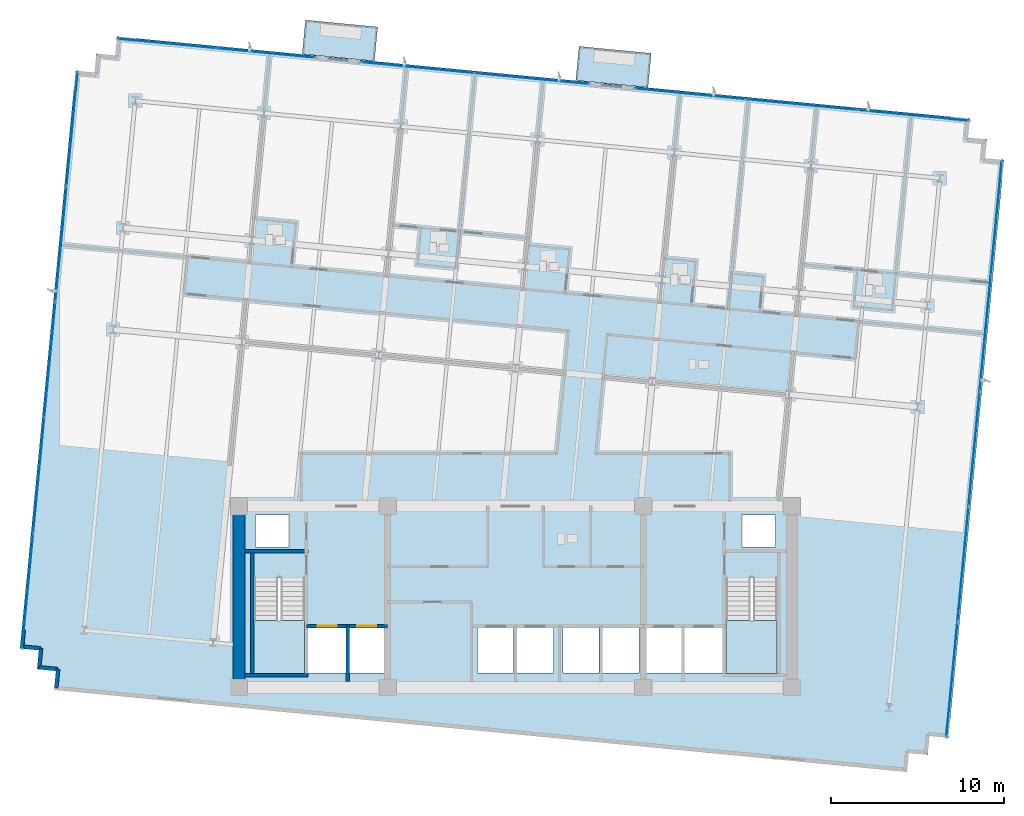
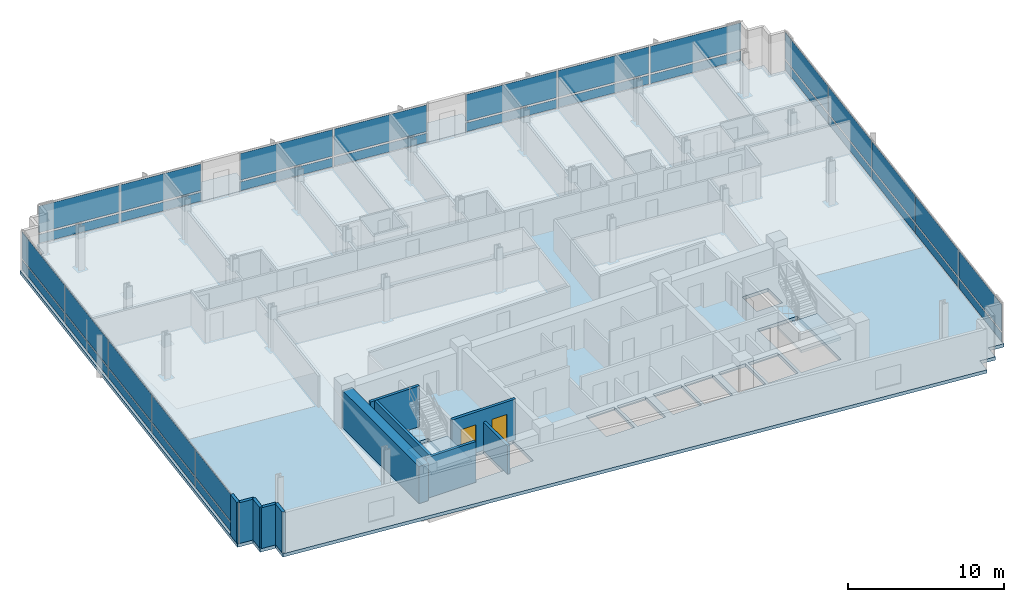
# One storey, part 9 of 17: 34 plates, 11 walls, 5 slabs, 2 doors, 2 openings, 7 elements without a shape of their own.
"""IFC4 building model written with IfcOpenShell, lengths in metres."""

from ifc_helpers import new_model, si_unit, direction, frame, frame_2d, origin, origin_2d, place, context, subcontext, project, spatial, polyline, rectangle, outline, extrude, material, layer, layer_set, type_object, element, fill, aggregate, save


model = new_model("IFC4")

# Units and contexts
model_context = context("Model", 3, precision=1e-05, world=origin(), true_north=direction((0.0, 1.0)))
body_context = subcontext(model_context, "Body", "Model", "MODEL_VIEW")
ifc_project = project(units=[si_unit("LENGTHUNIT", "METRE"), si_unit("AREAUNIT", "SQUARE_METRE"), si_unit("VOLUMEUNIT", "CUBIC_METRE"), si_unit("PLANEANGLEUNIT", "RADIAN"), si_unit("MASSUNIT", "GRAM", prefix="KILO")], contexts=[model_context])

# Site, building, storey
site_placement = place(None, origin())
site = spatial("IfcSite", under=ifc_project, at=site_placement, CompositionType="ELEMENT")
building_placement = place(site_placement, origin())
building = spatial("IfcBuilding", under=site, at=building_placement, Name="Solmavex Isthmus Hotel", CompositionType="ELEMENT")
storey_placement = place(building_placement, frame((0.0, 0.0, 146.25)))
storey = spatial("IfcBuildingStorey", under=building, at=storey_placement, Name="L39", CompositionType="ELEMENT", Elevation=146.25)

# Curtain wall, plates
ifc_material_1 = material(Name="Aluminium alloy 6063-T6", Category="aluminium")
curtain_wall_type = type_object("IfcCurtainWallType", Name="CW-SYS-03", PredefinedType="NOTDEFINED", material=ifc_material_1)
curtain_wall_1_placement = place(storey_placement, origin())
curtain_wall_1 = element("IfcCurtainWall", 1, at=curtain_wall_1_placement, inside=storey, type_object=curtain_wall_type, Name="Stick Curtain Wall CWL-L39-N1", PredefinedType="NOTDEFINED")
ifc_material_2 = material(Name="Clear low-E laminated glass", Category="glass")
ifc_layer_1 = layer(ifc_material_2, 0.030029296875)
ifc_layer_set_1 = layer_set([ifc_layer_1], Name="Clear low-E laminated glass")
plate_type = type_object("IfcPlateType", Name="CW-SYS-03-PNL", PredefinedType="CURTAIN_PANEL", material=ifc_layer_set_1)
plate_1_placement = place(storey_placement, frame((-20.1806640625, 24.291259765625, 0.14013671875), z_axis=(0.0, 0.0, 1.0), x_axis=(0.995396220659, -0.095845521008, 0.0)))
plate_1 = element("IfcPlate", 2, at=plate_1_placement, type_object=plate_type, Name="CW-03 panel 1.1", PredefinedType="CURTAIN_PANEL", context=body_context, shape_type="SweptSolid", body=[
    extrude(rectangle(XDim=5.677978515625, YDim=0.030029296875, at=origin_2d()), origin(), (0.0, 0.0, 1.0), 0.68994140625),
])
plate_2_placement = place(storey_placement, frame((-20.1806640625, 24.291259765625, 0.969970703125), z_axis=(0.0, 0.0, 1.0), x_axis=(0.995396220659, -0.095845521008, 0.0)))
plate_2 = element("IfcPlate", 3, at=plate_2_placement, type_object=plate_type, Name="CW-03 panel 1.2", PredefinedType="CURTAIN_PANEL", context=body_context, shape_type="SweptSolid", body=[
    extrude(rectangle(XDim=5.677978515625, YDim=0.030029296875, at=origin_2d()), origin(), (0.0, 0.0, 1.0), 2.080078125),
])
plate_3_placement = place(storey_placement, frame((-14.459228515625, 23.740234375, 0.14013671875), z_axis=(0.0, 0.0, 1.0), x_axis=(0.995396220659, -0.095845521008, 0.0)))
plate_3 = element("IfcPlate", 4, at=plate_3_placement, type_object=plate_type, Name="CW-03 panel 2.1", PredefinedType="CURTAIN_PANEL", context=body_context, shape_type="SweptSolid", body=[
    extrude(rectangle(XDim=5.677978515625, YDim=0.030029296875, at=origin_2d()), origin(), (0.0, 0.0, 1.0), 0.68994140625),
])
plate_4_placement = place(storey_placement, frame((-14.459228515625, 23.740234375, 0.969970703125), z_axis=(0.0, 0.0, 1.0), x_axis=(0.995396220659, -0.095845521008, 0.0)))
plate_4 = element("IfcPlate", 5, at=plate_4_placement, type_object=plate_type, Name="CW-03 panel 2.2", PredefinedType="CURTAIN_PANEL", context=body_context, shape_type="SweptSolid", body=[
    extrude(rectangle(XDim=5.677978515625, YDim=0.030029296875, at=origin_2d()), origin(), (0.0, 0.0, 1.0), 2.080078125),
])
aggregate(curtain_wall_1, [plate_1, plate_2, plate_3, plate_4])

curtain_wall_2_placement = place(storey_placement, origin())
curtain_wall_2 = element("IfcCurtainWall", 6, at=curtain_wall_2_placement, inside=storey, type_object=curtain_wall_type, Name="Stick Curtain Wall CWL-L39-N2", PredefinedType="NOTDEFINED")
plate_5_placement = place(storey_placement, frame((-5.645263671875, 22.8916015625, 0.14013671875), z_axis=(0.0, 0.0, 1.0), x_axis=(0.995396257521, -0.095845138178, 0.0)))
plate_5 = element("IfcPlate", 7, at=plate_5_placement, type_object=plate_type, Name="CW-03 panel 1.1", PredefinedType="CURTAIN_PANEL", context=body_context, shape_type="SweptSolid", body=[
    extrude(rectangle(XDim=6.551025390625, YDim=0.030029296875, at=origin_2d()), origin(), (0.0, 0.0, 1.0), 0.68994140625),
])
plate_6_placement = place(storey_placement, frame((-5.645263671875, 22.8916015625, 0.969970703125), z_axis=(0.0, 0.0, 1.0), x_axis=(0.995396257521, -0.095845138178, 0.0)))
plate_6 = element("IfcPlate", 8, at=plate_6_placement, type_object=plate_type, Name="CW-03 panel 1.2", PredefinedType="CURTAIN_PANEL", context=body_context, shape_type="SweptSolid", body=[
    extrude(rectangle(XDim=6.551025390625, YDim=0.030029296875, at=origin_2d()), origin(), (0.0, 0.0, 1.0), 2.080078125),
])
plate_7_placement = place(storey_placement, frame((0.945068359375, 22.257080078125, 0.14013671875), z_axis=(0.0, 0.0, 1.0), x_axis=(0.995396257521, -0.095845138178, 0.0)))
plate_7 = element("IfcPlate", 9, at=plate_7_placement, type_object=plate_type, Name="CW-03 panel 2.1", PredefinedType="CURTAIN_PANEL", context=body_context, shape_type="SweptSolid", body=[
    extrude(rectangle(XDim=6.551025390625, YDim=0.030029296875, at=origin_2d()), origin(), (0.0, 0.0, 1.0), 0.68994140625),
])
plate_8_placement = place(storey_placement, frame((0.945068359375, 22.257080078125, 0.969970703125), z_axis=(0.0, 0.0, 1.0), x_axis=(0.995396257521, -0.095845138178, 0.0)))
plate_8 = element("IfcPlate", 10, at=plate_8_placement, type_object=plate_type, Name="CW-03 panel 2.2", PredefinedType="CURTAIN_PANEL", context=body_context, shape_type="SweptSolid", body=[
    extrude(rectangle(XDim=6.551025390625, YDim=0.030029296875, at=origin_2d()), origin(), (0.0, 0.0, 1.0), 2.080078125),
])
aggregate(curtain_wall_2, [plate_5, plate_6, plate_7, plate_8])

curtain_wall_3_placement = place(storey_placement, origin())
curtain_wall_3 = element("IfcCurtainWall", 11, at=curtain_wall_3_placement, inside=storey, type_object=curtain_wall_type, Name="Stick Curtain Wall CWL-L39-N3", PredefinedType="NOTDEFINED")
plate_9_placement = place(storey_placement, frame((10.119384765625, 21.373779296875, 0.14013671875), z_axis=(0.0, 0.0, 1.0), x_axis=(0.995396200025, -0.095845735304, 0.0)))
plate_9 = element("IfcPlate", 12, at=plate_9_placement, type_object=plate_type, Name="CW-03 panel 1.1", PredefinedType="CURTAIN_PANEL", context=body_context, shape_type="SweptSolid", body=[
    extrude(rectangle(XDim=6.40234375, YDim=0.030029296875, at=origin_2d()), origin(), (0.0, 0.0, 1.0), 0.68994140625),
])
plate_10_placement = place(storey_placement, frame((10.119384765625, 21.373779296875, 0.969970703125), z_axis=(0.0, 0.0, 1.0), x_axis=(0.995396200025, -0.095845735304, 0.0)))
plate_10 = element("IfcPlate", 13, at=plate_10_placement, type_object=plate_type, Name="CW-03 panel 1.2", PredefinedType="CURTAIN_PANEL", context=body_context, shape_type="SweptSolid", body=[
    extrude(rectangle(XDim=6.40234375, YDim=0.030029296875, at=origin_2d()), origin(), (0.0, 0.0, 1.0), 2.080078125),
])
plate_11_placement = place(storey_placement, frame((16.579345703125, 20.751708984375, 0.14013671875), z_axis=(0.0, 0.0, 1.0), x_axis=(0.995396200025, -0.095845735304, 0.0)))
plate_11 = element("IfcPlate", 14, at=plate_11_placement, type_object=plate_type, Name="CW-03 panel 2.1", PredefinedType="CURTAIN_PANEL", context=body_context, shape_type="SweptSolid", body=[
    extrude(rectangle(XDim=6.437255859375, YDim=0.030029296875, at=origin_2d()), origin(), (0.0, 0.0, 1.0), 0.68994140625),
])
plate_12_placement = place(storey_placement, frame((16.579345703125, 20.751708984375, 0.969970703125), z_axis=(0.0, 0.0, 1.0), x_axis=(0.995396200025, -0.095845735304, 0.0)))
plate_12 = element("IfcPlate", 15, at=plate_12_placement, type_object=plate_type, Name="CW-03 panel 2.2", PredefinedType="CURTAIN_PANEL", context=body_context, shape_type="SweptSolid", body=[
    extrude(rectangle(XDim=6.437255859375, YDim=0.030029296875, at=origin_2d()), origin(), (0.0, 0.0, 1.0), 2.080078125),
])
plate_13_placement = place(storey_placement, frame((23.039306640625, 20.129638671875, 0.14013671875), z_axis=(0.0, 0.0, 1.0), x_axis=(0.995396200025, -0.095845735304, 0.0)))
plate_13 = element("IfcPlate", 16, at=plate_13_placement, type_object=plate_type, Name="CW-03 panel 3.1", PredefinedType="CURTAIN_PANEL", context=body_context, shape_type="SweptSolid", body=[
    extrude(rectangle(XDim=6.40234375, YDim=0.030029296875, at=origin_2d()), origin(), (0.0, 0.0, 1.0), 0.68994140625),
])
plate_14_placement = place(storey_placement, frame((23.039306640625, 20.129638671875, 0.969970703125), z_axis=(0.0, 0.0, 1.0), x_axis=(0.995396200025, -0.095845735304, 0.0)))
plate_14 = element("IfcPlate", 17, at=plate_14_placement, type_object=plate_type, Name="CW-03 panel 3.2", PredefinedType="CURTAIN_PANEL", context=body_context, shape_type="SweptSolid", body=[
    extrude(rectangle(XDim=6.40234375, YDim=0.030029296875, at=origin_2d()), origin(), (0.0, 0.0, 1.0), 2.080078125),
])
aggregate(curtain_wall_3, [plate_9, plate_10, plate_11, plate_12, plate_13, plate_14])

curtain_wall_4_placement = place(storey_placement, origin())
curtain_wall_4 = element("IfcCurtainWall", 18, at=curtain_wall_4_placement, inside=storey, type_object=curtain_wall_type, Name="Stick Curtain Wall CWL-L39-W1", PredefinedType="NOTDEFINED")
plate_15_placement = place(storey_placement, frame((-28.24267578125, -7.38427734375, 0.14013671875), z_axis=(0.0, 0.0, 1.0), x_axis=(0.09584583902, 0.995396190038, 0.0)))
plate_15 = element("IfcPlate", 19, at=plate_15_placement, type_object=plate_type, Name="CW-03 panel 1.1", PredefinedType="CURTAIN_PANEL", context=body_context, shape_type="SweptSolid", body=[
    extrude(rectangle(XDim=6.614990234375, YDim=0.030029296875, at=origin_2d()), origin(), (0.0, 0.0, 1.0), 0.68994140625),
])
plate_16_placement = place(storey_placement, frame((-28.24267578125, -7.38427734375, 0.969970703125), z_axis=(0.0, 0.0, 1.0), x_axis=(0.09584583902, 0.995396190038, 0.0)))
plate_16 = element("IfcPlate", 20, at=plate_16_placement, type_object=plate_type, Name="CW-03 panel 1.2", PredefinedType="CURTAIN_PANEL", context=body_context, shape_type="SweptSolid", body=[
    extrude(rectangle(XDim=6.614990234375, YDim=0.030029296875, at=origin_2d()), origin(), (0.0, 0.0, 1.0), 2.080078125),
])
plate_17_placement = place(storey_placement, frame((-27.600341796875, -0.712646484375, 0.14013671875), z_axis=(0.0, 0.0, 1.0), x_axis=(0.09584583902, 0.995396190038, 0.0)))
plate_17 = element("IfcPlate", 21, at=plate_17_placement, type_object=plate_type, Name="CW-03 panel 2.1", PredefinedType="CURTAIN_PANEL", context=body_context, shape_type="SweptSolid", body=[
    extrude(rectangle(XDim=6.64990234375, YDim=0.030029296875, at=origin_2d()), origin(), (0.0, 0.0, 1.0), 0.68994140625),
])
plate_18_placement = place(storey_placement, frame((-27.600341796875, -0.712646484375, 0.969970703125), z_axis=(0.0, 0.0, 1.0), x_axis=(0.09584583902, 0.995396190038, 0.0)))
plate_18 = element("IfcPlate", 22, at=plate_18_placement, type_object=plate_type, Name="CW-03 panel 2.2", PredefinedType="CURTAIN_PANEL", context=body_context, shape_type="SweptSolid", body=[
    extrude(rectangle(XDim=6.64990234375, YDim=0.030029296875, at=origin_2d()), origin(), (0.0, 0.0, 1.0), 2.080078125),
])
plate_19_placement = place(storey_placement, frame((-26.956298828125, 5.976318359375, 0.14013671875), z_axis=(0.0, 0.0, 1.0), x_axis=(0.09584583902, 0.995396190038, 0.0)))
plate_19 = element("IfcPlate", 23, at=plate_19_placement, type_object=plate_type, Name="CW-03 panel 3.1", PredefinedType="CURTAIN_PANEL", context=body_context, shape_type="SweptSolid", body=[
    extrude(rectangle(XDim=6.64990234375, YDim=0.030029296875, at=origin_2d()), origin(), (0.0, 0.0, 1.0), 0.68994140625),
])
plate_20_placement = place(storey_placement, frame((-26.956298828125, 5.976318359375, 0.969970703125), z_axis=(0.0, 0.0, 1.0), x_axis=(0.09584583902, 0.995396190038, 0.0)))
plate_20 = element("IfcPlate", 24, at=plate_20_placement, type_object=plate_type, Name="CW-03 panel 3.2", PredefinedType="CURTAIN_PANEL", context=body_context, shape_type="SweptSolid", body=[
    extrude(rectangle(XDim=6.64990234375, YDim=0.030029296875, at=origin_2d()), origin(), (0.0, 0.0, 1.0), 2.080078125),
])
plate_21_placement = place(storey_placement, frame((-26.312255859375, 12.665283203125, 0.14013671875), z_axis=(0.0, 0.0, 1.0), x_axis=(0.09584583902, 0.995396190038, 0.0)))
plate_21 = element("IfcPlate", 25, at=plate_21_placement, type_object=plate_type, Name="CW-03 panel 4.1", PredefinedType="CURTAIN_PANEL", context=body_context, shape_type="SweptSolid", body=[
    extrude(rectangle(XDim=6.64990234375, YDim=0.030029296875, at=origin_2d()), origin(), (0.0, 0.0, 1.0), 0.68994140625),
])
plate_22_placement = place(storey_placement, frame((-26.312255859375, 12.665283203125, 0.969970703125), z_axis=(0.0, 0.0, 1.0), x_axis=(0.09584583902, 0.995396190038, 0.0)))
plate_22 = element("IfcPlate", 26, at=plate_22_placement, type_object=plate_type, Name="CW-03 panel 4.2", PredefinedType="CURTAIN_PANEL", context=body_context, shape_type="SweptSolid", body=[
    extrude(rectangle(XDim=6.64990234375, YDim=0.030029296875, at=origin_2d()), origin(), (0.0, 0.0, 1.0), 2.080078125),
])
plate_23_placement = place(storey_placement, frame((-25.669677734375, 19.337158203125, 0.14013671875), z_axis=(0.0, 0.0, 1.0), x_axis=(0.09584583902, 0.995396190038, 0.0)))
plate_23 = element("IfcPlate", 27, at=plate_23_placement, type_object=plate_type, Name="CW-03 panel 5.1", PredefinedType="CURTAIN_PANEL", context=body_context, shape_type="SweptSolid", body=[
    extrude(rectangle(XDim=6.614990234375, YDim=0.030029296875, at=origin_2d()), origin(), (0.0, 0.0, 1.0), 0.68994140625),
])
plate_24_placement = place(storey_placement, frame((-25.669677734375, 19.337158203125, 0.969970703125), z_axis=(0.0, 0.0, 1.0), x_axis=(0.09584583902, 0.995396190038, 0.0)))
plate_24 = element("IfcPlate", 28, at=plate_24_placement, type_object=plate_type, Name="CW-03 panel 5.2", PredefinedType="CURTAIN_PANEL", context=body_context, shape_type="SweptSolid", body=[
    extrude(rectangle(XDim=6.614990234375, YDim=0.030029296875, at=origin_2d()), origin(), (0.0, 0.0, 1.0), 2.080078125),
])
aggregate(curtain_wall_4, [plate_15, plate_16, plate_17, plate_18, plate_19, plate_20, plate_21, plate_22, plate_23, plate_24])

curtain_wall_5_placement = place(storey_placement, origin())
curtain_wall_5 = element("IfcCurtainWall", 29, at=curtain_wall_5_placement, inside=storey, type_object=curtain_wall_type, Name="Stick Curtain Wall CWL-L39-E1", PredefinedType="NOTDEFINED")
plate_25_placement = place(storey_placement, frame((25.269775390625, -12.537109375, 0.14013671875), z_axis=(0.0, 0.0, 1.0), x_axis=(0.09584583902, 0.995396190038, 0.0)))
plate_25 = element("IfcPlate", 30, at=plate_25_placement, type_object=plate_type, Name="CW-03 panel 1.1", PredefinedType="CURTAIN_PANEL", context=body_context, shape_type="SweptSolid", body=[
    extrude(rectangle(XDim=6.614990234375, YDim=0.030029296875, at=origin_2d()), origin(), (0.0, 0.0, 1.0), 0.68994140625),
])
plate_26_placement = place(storey_placement, frame((25.269775390625, -12.537109375, 0.969970703125), z_axis=(0.0, 0.0, 1.0), x_axis=(0.09584583902, 0.995396190038, 0.0)))
plate_26 = element("IfcPlate", 31, at=plate_26_placement, type_object=plate_type, Name="CW-03 panel 1.2", PredefinedType="CURTAIN_PANEL", context=body_context, shape_type="SweptSolid", body=[
    extrude(rectangle(XDim=6.614990234375, YDim=0.030029296875, at=origin_2d()), origin(), (0.0, 0.0, 1.0), 2.080078125),
])
plate_27_placement = place(storey_placement, frame((25.912109375, -5.865478515625, 0.14013671875), z_axis=(0.0, 0.0, 1.0), x_axis=(0.09584583902, 0.995396190038, 0.0)))
plate_27 = element("IfcPlate", 32, at=plate_27_placement, type_object=plate_type, Name="CW-03 panel 2.1", PredefinedType="CURTAIN_PANEL", context=body_context, shape_type="SweptSolid", body=[
    extrude(rectangle(XDim=6.64990234375, YDim=0.030029296875, at=origin_2d()), origin(), (0.0, 0.0, 1.0), 0.68994140625),
])
plate_28_placement = place(storey_placement, frame((25.912109375, -5.865478515625, 0.969970703125), z_axis=(0.0, 0.0, 1.0), x_axis=(0.09584583902, 0.995396190038, 0.0)))
plate_28 = element("IfcPlate", 33, at=plate_28_placement, type_object=plate_type, Name="CW-03 panel 2.2", PredefinedType="CURTAIN_PANEL", context=body_context, shape_type="SweptSolid", body=[
    extrude(rectangle(XDim=6.64990234375, YDim=0.030029296875, at=origin_2d()), origin(), (0.0, 0.0, 1.0), 2.080078125),
])
plate_29_placement = place(storey_placement, frame((26.55615234375, 0.82373046875, 0.14013671875), z_axis=(0.0, 0.0, 1.0), x_axis=(0.09584583902, 0.995396190038, 0.0)))
plate_29 = element("IfcPlate", 34, at=plate_29_placement, type_object=plate_type, Name="CW-03 panel 3.1", PredefinedType="CURTAIN_PANEL", context=body_context, shape_type="SweptSolid", body=[
    extrude(rectangle(XDim=6.64990234375, YDim=0.030029296875, at=origin_2d()), origin(), (0.0, 0.0, 1.0), 0.68994140625),
])
plate_30_placement = place(storey_placement, frame((26.55615234375, 0.82373046875, 0.969970703125), z_axis=(0.0, 0.0, 1.0), x_axis=(0.09584583902, 0.995396190038, 0.0)))
plate_30 = element("IfcPlate", 35, at=plate_30_placement, type_object=plate_type, Name="CW-03 panel 3.2", PredefinedType="CURTAIN_PANEL", context=body_context, shape_type="SweptSolid", body=[
    extrude(rectangle(XDim=6.64990234375, YDim=0.030029296875, at=origin_2d()), origin(), (0.0, 0.0, 1.0), 2.080078125),
])
plate_31_placement = place(storey_placement, frame((27.200439453125, 7.5126953125, 0.14013671875), z_axis=(0.0, 0.0, 1.0), x_axis=(0.09584583902, 0.995396190038, 0.0)))
plate_31 = element("IfcPlate", 36, at=plate_31_placement, type_object=plate_type, Name="CW-03 panel 4.1", PredefinedType="CURTAIN_PANEL", context=body_context, shape_type="SweptSolid", body=[
    extrude(rectangle(XDim=6.64990234375, YDim=0.030029296875, at=origin_2d()), origin(), (0.0, 0.0, 1.0), 0.68994140625),
])
plate_32_placement = place(storey_placement, frame((27.200439453125, 7.5126953125, 0.969970703125), z_axis=(0.0, 0.0, 1.0), x_axis=(0.09584583902, 0.995396190038, 0.0)))
plate_32 = element("IfcPlate", 37, at=plate_32_placement, type_object=plate_type, Name="CW-03 panel 4.2", PredefinedType="CURTAIN_PANEL", context=body_context, shape_type="SweptSolid", body=[
    extrude(rectangle(XDim=6.64990234375, YDim=0.030029296875, at=origin_2d()), origin(), (0.0, 0.0, 1.0), 2.080078125),
])
plate_33_placement = place(storey_placement, frame((27.8427734375, 14.184326171875, 0.14013671875), z_axis=(0.0, 0.0, 1.0), x_axis=(0.09584583902, 0.995396190038, 0.0)))
plate_33 = element("IfcPlate", 38, at=plate_33_placement, type_object=plate_type, Name="CW-03 panel 5.1", PredefinedType="CURTAIN_PANEL", context=body_context, shape_type="SweptSolid", body=[
    extrude(rectangle(XDim=6.614990234375, YDim=0.030029296875, at=origin_2d()), origin(), (0.0, 0.0, 1.0), 0.68994140625),
])
plate_34_placement = place(storey_placement, frame((27.8427734375, 14.184326171875, 0.969970703125), z_axis=(0.0, 0.0, 1.0), x_axis=(0.09584583902, 0.995396190038, 0.0)))
plate_34 = element("IfcPlate", 39, at=plate_34_placement, type_object=plate_type, Name="CW-03 panel 5.2", PredefinedType="CURTAIN_PANEL", context=body_context, shape_type="SweptSolid", body=[
    extrude(rectangle(XDim=6.614990234375, YDim=0.030029296875, at=origin_2d()), origin(), (0.0, 0.0, 1.0), 2.080078125),
])
aggregate(curtain_wall_5, [plate_25, plate_26, plate_27, plate_28, plate_29, plate_30, plate_31, plate_32, plate_33, plate_34])

# Slabs
ifc_material_3 = material(Name="Concrete C40/50", Category="concrete")
ifc_layer_2 = layer(ifc_material_3, 0.239990234375)
ifc_layer_set_2 = layer_set([ifc_layer_2], Name="Concrete C40/50")
slab_type_1 = type_object("IfcSlabType", Name="SLAB-BALC-240", PredefinedType="FLOOR", material=ifc_layer_set_2)
slab_1_placement = place(storey_placement, frame((0.0, 0.0, -0.239990234375)))
element("IfcSlab", 40, at=slab_1_placement, inside=storey, type_object=slab_type_1, Name="Tree-Planter Balcony Slab L39-B1", PredefinedType="FLOOR", context=body_context, shape_type="SweptSolid", body=[
    extrude(outline(polyline([(-12.346923828125, 23.672607421875), (-8.166259765625, 23.27001953125), (-7.97607421875, 25.245849609375), (-12.15673828125, 25.6484375), (-12.346923828125, 23.672607421875)])), origin(), (0.0, 0.0, 1.0), 0.239990234375),
])
slab_2_placement = place(storey_placement, frame((0.0, 0.0, -0.239990234375)))
element("IfcSlab", 41, at=slab_2_placement, inside=storey, type_object=slab_type_1, Name="Tree-Planter Balcony Slab L39-B2", PredefinedType="FLOOR", context=body_context, shape_type="SweptSolid", body=[
    extrude(outline(polyline([(3.491943359375, 22.1474609375), (7.672607421875, 21.744873046875), (7.86279296875, 23.720703125), (3.68212890625, 24.123291015625), (3.491943359375, 22.1474609375)])), origin(), (0.0, 0.0, 1.0), 0.239990234375),
])
ifc_layer_3 = layer(ifc_material_3, 0.260009765625)
ifc_layer_set_3 = layer_set([ifc_layer_3], Name="Concrete C40/50")
slab_type_2 = type_object("IfcSlabType", Name="SLAB-TYP-260", PredefinedType="FLOOR", material=ifc_layer_set_3)
slab_3_placement = place(storey_placement, frame((0.0, 0.0, -0.260009765625)))
element("IfcSlab", 42, at=slab_3_placement, inside=storey, type_object=slab_type_2, Name="Tower Structural Floor Slab L39", PredefinedType="FLOOR", context=body_context, shape_type="SweptSolid", body=[
    extrude(outline(polyline([(-25.612060546875, -13.240966796875), (21.56982421875, -17.7841796875), (22.664794921875, -17.889404296875), (22.770263671875, -16.794677734375), (23.865234375, -16.89990234375), (23.970458984375, -15.80517578125), (25.0654296875, -15.910400390625), (25.1708984375, -14.815673828125), (28.180419921875, 16.43994140625), (28.285888671875, 17.534912109375), (27.19091796875, 17.64013671875), (27.29638671875, 18.735107421875), (26.201416015625, 18.840576171875), (26.306884765625, 19.935546875), (25.2119140625, 20.041015625), (-21.9697265625, 24.583984375), (-23.064697265625, 24.689453125), (-23.170166015625, 23.594482421875), (-24.26513671875, 23.699951171875), (-24.37060546875, 22.60498046875), (-25.465576171875, 22.71044921875), (-25.57080078125, 21.615478515625), (-28.58056640625, -9.639892578125), (-28.685791015625, -10.73486328125), (-27.591064453125, -10.84033203125), (-27.6962890625, -11.935302734375), (-26.6015625, -12.04052734375), (-26.706787109375, -13.135498046875), (-25.612060546875, -13.240966796875)]), holes=[polyline([(-15.14990234375, -6.617919921875), (-15.14990234375, -12.199951171875), (-12.199951171875, -12.199951171875), (-12.199951171875, -6.617919921875), (-15.14990234375, -6.617919921875)]), polyline([(12.199951171875, -6.617919921875), (12.199951171875, -12.199951171875), (15.14990234375, -12.199951171875), (15.14990234375, -6.617919921875), (12.199951171875, -6.617919921875)]), polyline([(-12.0, -12.14990234375), (-9.800048828125, -12.14990234375), (-9.800048828125, -9.550048828125), (-12.0, -9.550048828125), (-12.0, -12.14990234375)]), polyline([(9.800048828125, -12.14990234375), (12.0, -12.14990234375), (12.0, -9.550048828125), (9.800048828125, -9.550048828125), (9.800048828125, -12.14990234375)]), polyline([(-9.60009765625, -12.14990234375), (-7.60009765625, -12.14990234375), (-7.60009765625, -9.550048828125), (-9.60009765625, -9.550048828125), (-9.60009765625, -12.14990234375)]), polyline([(7.60009765625, -12.14990234375), (9.60009765625, -12.14990234375), (9.60009765625, -9.550048828125), (7.60009765625, -9.550048828125), (7.60009765625, -12.14990234375)]), polyline([(-2.199951171875, -12.14990234375), (-0.10009765625, -12.14990234375), (-0.10009765625, -9.550048828125), (-2.199951171875, -9.550048828125), (-2.199951171875, -12.14990234375)]), polyline([(0.10009765625, -12.14990234375), (2.199951171875, -12.14990234375), (2.199951171875, -9.550048828125), (0.10009765625, -9.550048828125), (0.10009765625, -12.14990234375)]), polyline([(2.75, -12.14990234375), (4.85009765625, -12.14990234375), (4.85009765625, -9.550048828125), (2.75, -9.550048828125), (2.75, -12.14990234375)]), polyline([(5.050048828125, -12.14990234375), (7.14990234375, -12.14990234375), (7.14990234375, -9.550048828125), (5.050048828125, -9.550048828125), (5.050048828125, -12.14990234375)]), polyline([(-15.050048828125, -4.85009765625), (-13.14990234375, -4.85009765625), (-13.14990234375, -3.0), (-15.050048828125, -3.0), (-15.050048828125, -4.85009765625)]), polyline([(13.14990234375, -4.85009765625), (15.050048828125, -4.85009765625), (15.050048828125, -3.0), (13.14990234375, -3.0), (13.14990234375, -4.85009765625)])]), origin(), (0.0, 0.0, 1.0), 0.260009765625),
])

# Stair, slab
stair_type_1 = type_object("IfcStairType", Name="STR-ST-1", PredefinedType="HALF_TURN_STAIR", material=ifc_material_3)
stair_1_placement = place(storey_placement, origin())
stair_1 = element("IfcStair", 43, at=stair_1_placement, inside=storey, type_object=stair_type_1, Name="L39 Protected Exit Stair ST-1", PredefinedType="HALF_TURN_STAIR")
ifc_layer_4 = layer(ifc_material_3, 0.219970703125)
ifc_layer_set_4 = layer_set([ifc_layer_4], Name="Concrete C40/50")
slab_type_3 = type_object("IfcSlabType", Name="SLD-ST-1", PredefinedType="LANDING", material=ifc_layer_set_4)
slab_4_placement = place(storey_placement, frame((0.0, 0.0, 1.52490234375)))
slab_4 = element("IfcSlab", 44, at=slab_4_placement, type_object=slab_type_3, Name="ST-1 landing 1", PredefinedType="LANDING", context=body_context, shape_type="SweptSolid", body=[
    extrude(outline(polyline([(-15.14990234375, -9.1201171875), (-15.14990234375, -12.199951171875), (-12.199951171875, -12.199951171875), (-12.199951171875, -9.1201171875), (-15.14990234375, -9.1201171875)])), origin(), (0.0, 0.0, 1.0), 0.2001953125),
])
aggregate(stair_1, [slab_4])

stair_type_2 = type_object("IfcStairType", Name="STR-ST-2", PredefinedType="HALF_TURN_STAIR", material=ifc_material_3)
stair_2_placement = place(storey_placement, origin())
stair_2 = element("IfcStair", 45, at=stair_2_placement, inside=storey, type_object=stair_type_2, Name="L39 Protected Exit Stair ST-2", PredefinedType="HALF_TURN_STAIR")
ifc_layer_5 = layer(ifc_material_3, 0.219970703125)
ifc_layer_set_5 = layer_set([ifc_layer_5], Name="Concrete C40/50")
slab_type_4 = type_object("IfcSlabType", Name="SLD-ST-2", PredefinedType="LANDING", material=ifc_layer_set_5)
slab_5_placement = place(storey_placement, frame((0.0, 0.0, 1.52490234375)))
slab_5 = element("IfcSlab", 46, at=slab_5_placement, type_object=slab_type_4, Name="ST-2 landing 1", PredefinedType="LANDING", context=body_context, shape_type="SweptSolid", body=[
    extrude(outline(polyline([(12.199951171875, -9.1201171875), (12.199951171875, -12.199951171875), (15.14990234375, -12.199951171875), (15.14990234375, -9.1201171875), (12.199951171875, -9.1201171875)])), origin(), (0.0, 0.0, 1.0), 0.2001953125),
])
aggregate(stair_2, [slab_5])

# Walls
ifc_material_4 = material(Name="Precast Concrete C40/50", Category="concrete")
ifc_layer_6 = layer(ifc_material_4, 0.25)
ifc_layer_set_6 = layer_set([ifc_layer_6], Name="Precast Concrete C40/50")
wall_type_1 = type_object("IfcWallType", Name="EW-TWR-250", PredefinedType="STANDARD", material=ifc_layer_set_6)
for number, where, z_axis, x_axis, name in (
    (47, (-26.5869140625, -13.03662109375, 0.0), (0.0, 0.0, 1.0), (0.095877334176, 0.995393156894, 0.0), "Serrated Corner Facade Panel L39-01"),
    (48, (-26.4814453125, -11.941650390625, 0.0), (0.0, 0.0, 1.0), (-0.995393156894, 0.095877334176, 0.0), "Serrated Corner Facade Panel L39-02"),
    (49, (-27.576416015625, -11.836181640625, 0.0), (0.0, 0.0, 1.0), (0.095877334176, 0.995393156894, 0.0), "Serrated Corner Facade Panel L39-03"),
    (50, (-27.470947265625, -10.7412109375, 0.0), (0.0, 0.0, 1.0), (-0.995414313875, 0.095657429048, 0.0), "Serrated Corner Facade Panel L39-04"),
):
    element("IfcWall", number, at=place(storey_placement, frame(where, z_axis=z_axis, x_axis=x_axis)), inside=storey, type_object=wall_type_1, Name=name, PredefinedType="STANDARD", context=body_context, shape_type="SweptSolid", body=[
        extrude(rectangle(XDim=1.10009765625, YDim=0.219970703125, at=frame_2d((0.550048828125, 0.0))), origin(), (0.0, 0.0, 1.0), 3.18994140625),
    ])
wall_1_placement = place(storey_placement, frame((-28.56591796875, -10.635986328125, 0.0), z_axis=(0.0, 0.0, 1.0), x_axis=(0.095914428506, 0.995389583231, 0.0)))
element("IfcWall", 51, at=wall_1_placement, inside=storey, type_object=wall_type_1, Name="Serrated Corner Facade Panel L39-05", PredefinedType="STANDARD", context=body_context, shape_type="SweptSolid", body=[
    extrude(rectangle(XDim=0.990234375, YDim=0.219970703125, at=frame_2d((0.4951171875, 0.0))), origin(), (0.0, 0.0, 1.0), 3.18994140625),
])

# Wall, openings, doors
ifc_layer_7 = layer(ifc_material_3, 0.199951171875)
ifc_layer_set_7 = layer_set([ifc_layer_7], Name="Concrete C40/50")
wall_type_2 = type_object("IfcWallType", Name="IW-SHAFT-200", PredefinedType="PARTITIONING", material=ifc_layer_set_7)
wall_2_placement = place(storey_placement, frame((-12.10009765625, -9.449951171875, 0.0), z_axis=(0.0, 0.0, 1.0), x_axis=(1.0, 0.0, 0.0)))
wall_2 = element("IfcWall", 52, at=wall_2_placement, inside=storey, type_object=wall_type_2, Name="Interior Partition Wall W-L39-FFLW-S", PredefinedType="PARTITIONING", context=body_context, shape_type="SweptSolid", body=[
    extrude(rectangle(XDim=4.7001953125, YDim=0.199951171875, at=frame_2d((2.35009765625, 0.0))), origin(), (0.0, 0.0, 1.0), 3.18994140625),
])
opening_1_placement = place(wall_2_placement, frame((0.64990234375, 0.0, 0.0)))
opening_1 = element("IfcOpeningElement", 53, at=opening_1_placement, cuts=wall_2, Name="Opening LD-FF", PredefinedType="OPENING", context=body_context, shape_type="SweptSolid", body=[
    extrude(rectangle(XDim=1.10009765625, YDim=2.199951171875, at=frame_2d((0.550048828125, 1.10009765625))), frame((0.0, 0.10986328125, 0.0), z_axis=(0.0, -1.0, 0.0), x_axis=(1.0, 0.0, 0.0)), (0.0, 0.0, 1.0), 0.219970703125),
])
opening_2_placement = place(wall_2_placement, frame((2.949951171875, 0.0, 0.0)))
opening_2 = element("IfcOpeningElement", 54, at=opening_2_placement, cuts=wall_2, Name="Opening LD-SV", PredefinedType="OPENING", context=body_context, shape_type="SweptSolid", body=[
    extrude(rectangle(XDim=1.10009765625, YDim=2.199951171875, at=frame_2d((0.550048828125, 1.10009765625))), frame((0.0, 0.10986328125, 0.0), z_axis=(0.0, -1.0, 0.0), x_axis=(1.0, 0.0, 0.0)), (0.0, 0.0, 1.0), 0.219970703125),
])
ifc_material_5 = material(Name="Stainless steel 316", Category="steel")
door_type_1 = type_object("IfcDoorType", Name="LDR-FF-1100", OperationType="NOTDEFINED", PredefinedType="DOOR", material=ifc_material_5)
door_1_placement = place(opening_1_placement, origin())
door_1 = element("IfcDoor", 55, at=door_1_placement, inside=storey, type_object=door_type_1, Name="Lift Landing Door FFL-1 L39", OperationType="SLIDING_TO_LEFT", OverallHeight=2.199951171875, OverallWidth=1.10009765625, PredefinedType="DOOR", context=body_context, shape_type="SweptSolid", body=[
    extrude(rectangle(XDim=1.10009765625, YDim=2.199951171875, at=frame_2d((0.550048828125, 1.10009765625))), frame((0.0, 0.02490234375, 0.0), z_axis=(0.0, -1.0, 0.0), x_axis=(1.0, 0.0, 0.0)), (0.0, 0.0, 1.0), 0.050048828125),
])
fill(opening_1, door_1)
door_type_2 = type_object("IfcDoorType", Name="LDR-SV-1100", OperationType="NOTDEFINED", PredefinedType="DOOR", material=ifc_material_5)
door_2_placement = place(opening_2_placement, origin())
door_2 = element("IfcDoor", 56, at=door_2_placement, inside=storey, type_object=door_type_2, Name="Lift Landing Door SVL-1 L39", OperationType="SLIDING_TO_RIGHT", OverallHeight=2.199951171875, OverallWidth=1.10009765625, PredefinedType="DOOR", context=body_context, shape_type="SweptSolid", body=[
    extrude(rectangle(XDim=1.10009765625, YDim=2.199951171875, at=frame_2d((0.550048828125, 1.10009765625))), frame((0.0, 0.02490234375, 0.0), z_axis=(0.0, -1.0, 0.0), x_axis=(1.0, 0.0, 0.0)), (0.0, 0.0, 1.0), 0.050048828125),
])
fill(opening_2, door_2)

# Walls
wall_3_placement = place(storey_placement, frame((-9.699951171875, -12.64990234375, 0.0), z_axis=(0.0, 0.0, 1.0), x_axis=(0.0, 1.0, 0.0)))
element("IfcWall", 57, at=wall_3_placement, inside=storey, type_object=wall_type_2, Name="Interior Partition Wall W-L39-FFLW-M", PredefinedType="PARTITIONING", context=body_context, shape_type="SweptSolid", body=[
    extrude(rectangle(XDim=3.199951171875, YDim=0.199951171875, at=frame_2d((1.60009765625, 0.0))), origin(), (0.0, 0.0, 1.0), 2.22509765625),
])
ifc_material_6 = material(Name="Concrete C60/75", Category="concrete")
ifc_layer_8 = layer(ifc_material_6, 0.699951171875)
ifc_layer_set_8 = layer_set([ifc_layer_8], Name="Concrete C60/75")
wall_type_3 = type_object("IfcWallType", Name="WALL-CW-700", PredefinedType="SHEAR", material=ifc_layer_set_8)
wall_4_placement = place(storey_placement, frame((-16.0, -12.64990234375, 0.0), z_axis=(0.0, 0.0, 1.0), x_axis=(0.0, 1.0, 0.0)))
element("IfcWall", 58, at=wall_4_placement, inside=storey, type_object=wall_type_3, Name="Core Shear Wall West L39", PredefinedType="SHEAR", context=body_context, shape_type="SweptSolid", body=[
    extrude(rectangle(XDim=9.7998046875, YDim=0.699951171875, at=frame_2d((4.89990234375, 0.0))), origin(), (0.0, 0.0, 1.0), 2.909912109375),
])
ifc_layer_9 = layer(ifc_material_3, 0.199951171875)
ifc_layer_set_9 = layer_set([ifc_layer_9], Name="Concrete C40/50")
wall_type_4 = type_object("IfcWallType", Name="WALL-SW-200", PredefinedType="SOLIDWALL", material=ifc_layer_set_9)
for number, where, z_axis, x_axis, name in (
    (59, (-15.64990234375, -12.300048828125, 0.0), (0.0, 0.0, 1.0), (1.0, 0.0, 0.0), "Stairwell Structural Wall SW-L39-ST1-S"),
    (60, (-15.64990234375, -5.10009765625, 0.0), (0.0, 0.0, 1.0), (1.0, 0.0, 0.0), "Stairwell Structural Wall SW-L39-ST1-N"),
):
    element("IfcWall", number, at=place(storey_placement, frame(where, z_axis=z_axis, x_axis=x_axis)), inside=storey, type_object=wall_type_4, Name=name, PredefinedType="SOLIDWALL", context=body_context, shape_type="SweptSolid", body=[
        extrude(rectangle(XDim=3.64990234375, YDim=0.199951171875, at=frame_2d((1.824951171875, 0.0))), origin(), (0.0, 0.0, 1.0), 3.18994140625),
    ])
wall_5_placement = place(storey_placement, frame((-15.25, -12.199951171875, 0.0), z_axis=(0.0, 0.0, 1.0), x_axis=(0.0, 1.0, 0.0)))
element("IfcWall", 61, at=wall_5_placement, inside=storey, type_object=wall_type_4, Name="Stairwell Structural Wall SW-L39-ST1-W", PredefinedType="SOLIDWALL", context=body_context, shape_type="SweptSolid", body=[
    extrude(rectangle(XDim=7.0, YDim=0.199951171875, at=frame_2d((3.5, 0.0))), origin(), (0.0, 0.0, 1.0), 3.18994140625),
])

save(model, "model.ifc")
